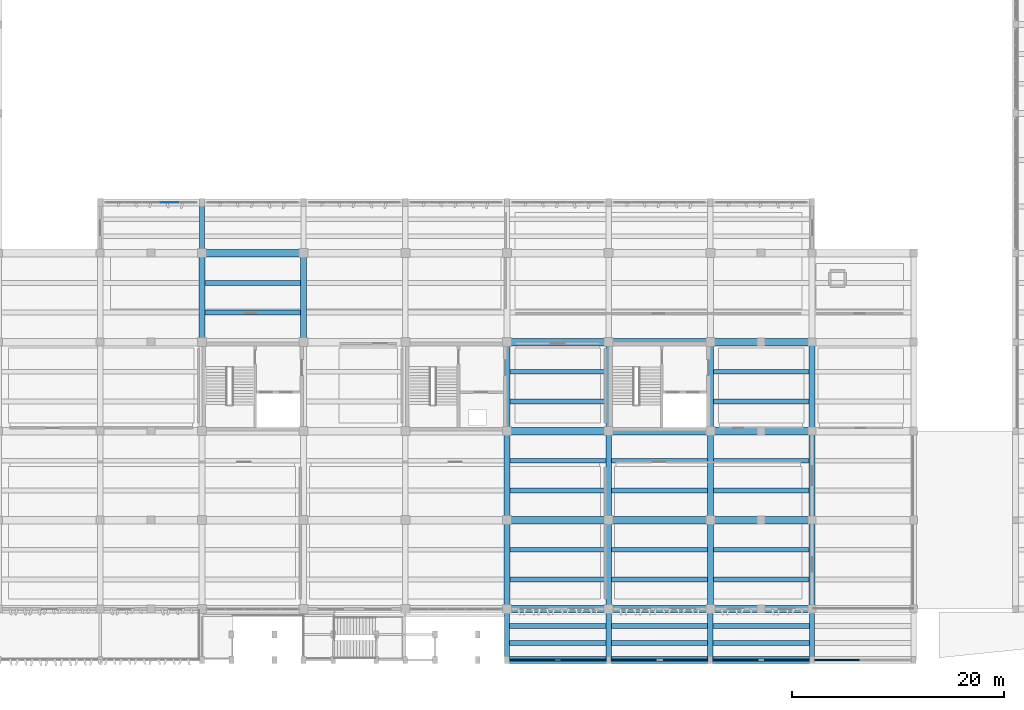
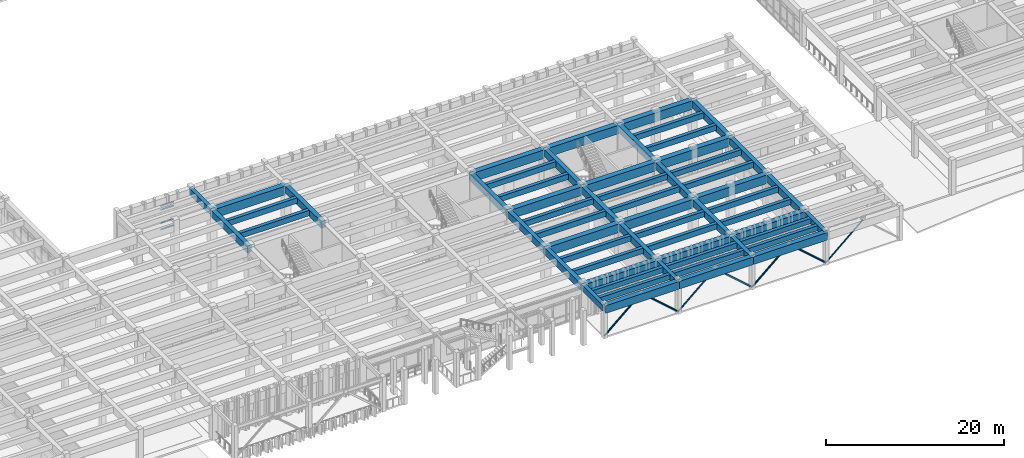
# One storey, part 13 of 86: 59 beams, 11 members, 1 element without a shape of its own.
"""IFC4 building model written with IfcOpenShell, lengths in metres."""

from ifc_helpers import new_model, si_unit, direction, frame, origin, origin_2d, place, context, subcontext, project, spatial, rectangle, hollow_rectangle, hollow_circle, extrude, material, layer, layer_set, material_profile, profile_set, type_object, element, aggregate, save


model = new_model("IFC4")

# Units and contexts
model_context = context("Model", 3, precision=1e-05, world=origin(), true_north=direction((0.0, 1.0)))
body_context = subcontext(model_context, "Body", "Model", "MODEL_VIEW")
ifc_project = project(units=[si_unit("LENGTHUNIT", "METRE"), si_unit("AREAUNIT", "SQUARE_METRE"), si_unit("VOLUMEUNIT", "CUBIC_METRE"), si_unit("PLANEANGLEUNIT", "RADIAN"), si_unit("MASSUNIT", "GRAM", prefix="KILO")], contexts=[model_context])

# Site, building, storey
site_placement = place(None, origin())
site = spatial("IfcSite", under=ifc_project, at=site_placement, CompositionType="ELEMENT")
building_placement = place(site_placement, origin())
building = spatial("IfcBuilding", under=site, at=building_placement, Name="Kolvemor Railside Polytechnic", CompositionType="ELEMENT")
storey_placement = place(building_placement, frame((0.0, 0.0, 5.39990234375)))
storey = spatial("IfcBuildingStorey", under=building, at=storey_placement, Name="L01", CompositionType="ELEMENT", Elevation=5.39990234375)

# Beams
ifc_material_1 = material(Name="Concrete C40/50", Category="concrete")
ifc_material_profile_1 = material_profile(ifc_material_1, rectangle(XDim=0.550048828125, YDim=0.949951171875, at=origin_2d()), Name="RC550x950")
ifc_profile_set_1 = profile_set([ifc_material_profile_1], Name="Concrete C40/50")
beam_type_1 = type_object("IfcBeamType", Name="BM-RC-GIRD", PredefinedType="BEAM", material=ifc_profile_set_1)
for number, where, z_axis, x_axis, name in (
    (1, (67.199951171875, 30.0, 4.005126953125), (0.0, 1.0, 0.0), (-1.0, 0.0, 0.0), "Primary Girder L02-GY 0800"),
    (2, (76.800048828125, 30.0, 4.005126953125), (0.0, 1.0, 0.0), (-1.0, 0.0, 0.0), "Primary Girder L02-GY 0804"),
    (3, (96.0, 4.800048828125, 4.005126953125), (0.0, 1.0, 0.0), (-1.0, 0.0, 0.0), "Primary Girder L02-GY 0809"),
):
    element("IfcBeam", number, at=place(storey_placement, frame(where, z_axis=z_axis, x_axis=x_axis)), inside=storey, type_object=beam_type_1, Name=name, PredefinedType="BEAM", context=body_context, shape_type="SweptSolid", body=[
        extrude(rectangle(XDim=0.550048828125, YDim=0.949951171875, at=origin_2d()), origin(), (0.0, 0.0, 1.0), 8.39990234375),
    ])
beam_1_placement = place(storey_placement, frame((96.0, 13.199951171875, 4.005126953125), z_axis=(0.0, 1.0, 0.0), x_axis=(-1.0, 0.0, 0.0)))
element("IfcBeam", 4, at=beam_1_placement, inside=storey, type_object=beam_type_1, Name="Primary Girder L02-GY 0810", PredefinedType="BEAM", context=body_context, shape_type="SweptSolid", body=[
    extrude(rectangle(XDim=0.550048828125, YDim=0.949951171875, at=origin_2d()), origin(), (0.0, 0.0, 1.0), 8.400146484375),
])
for number, where, z_axis, x_axis, name in (
    (5, (96.0, 21.60009765625, 4.005126953125), (0.0, 1.0, 0.0), (-1.0, 0.0, 0.0), "Primary Girder L02-GY 0811"),
    (6, (105.60009765625, 4.800048828125, 4.005126953125), (0.0, 1.0, 0.0), (-1.0, 0.0, 0.0), "Primary Girder L02-GY 0813"),
):
    element("IfcBeam", number, at=place(storey_placement, frame(where, z_axis=z_axis, x_axis=x_axis)), inside=storey, type_object=beam_type_1, Name=name, PredefinedType="BEAM", context=body_context, shape_type="SweptSolid", body=[
        extrude(rectangle(XDim=0.550048828125, YDim=0.949951171875, at=origin_2d()), origin(), (0.0, 0.0, 1.0), 8.39990234375),
    ])
beam_2_placement = place(storey_placement, frame((105.60009765625, 13.199951171875, 4.005126953125), z_axis=(0.0, 1.0, 0.0), x_axis=(-1.0, 0.0, 0.0)))
element("IfcBeam", 7, at=beam_2_placement, inside=storey, type_object=beam_type_1, Name="Primary Girder L02-GY 0814", PredefinedType="BEAM", context=body_context, shape_type="SweptSolid", body=[
    extrude(rectangle(XDim=0.550048828125, YDim=0.949951171875, at=origin_2d()), origin(), (0.0, 0.0, 1.0), 8.400146484375),
])
for number, where, z_axis, x_axis, name in (
    (8, (105.60009765625, 21.60009765625, 4.005126953125), (0.0, 1.0, 0.0), (-1.0, 0.0, 0.0), "Primary Girder L02-GY 0815"),
    (9, (115.199951171875, 4.800048828125, 4.005126953125), (0.0, 1.0, 0.0), (-1.0, 0.0, 0.0), "Primary Girder L02-GY 0817"),
):
    element("IfcBeam", number, at=place(storey_placement, frame(where, z_axis=z_axis, x_axis=x_axis)), inside=storey, type_object=beam_type_1, Name=name, PredefinedType="BEAM", context=body_context, shape_type="SweptSolid", body=[
        extrude(rectangle(XDim=0.550048828125, YDim=0.949951171875, at=origin_2d()), origin(), (0.0, 0.0, 1.0), 8.39990234375),
    ])
beam_3_placement = place(storey_placement, frame((115.199951171875, 13.199951171875, 4.005126953125), z_axis=(0.0, 1.0, 0.0), x_axis=(-1.0, 0.0, 0.0)))
element("IfcBeam", 10, at=beam_3_placement, inside=storey, type_object=beam_type_1, Name="Primary Girder L02-GY 0818", PredefinedType="BEAM", context=body_context, shape_type="SweptSolid", body=[
    extrude(rectangle(XDim=0.550048828125, YDim=0.949951171875, at=origin_2d()), origin(), (0.0, 0.0, 1.0), 8.400146484375),
])
for number, where, z_axis, x_axis, name in (
    (11, (115.199951171875, 21.60009765625, 4.005126953125), (0.0, 1.0, 0.0), (-1.0, 0.0, 0.0), "Primary Girder L02-GY 0819"),
    (12, (124.800048828125, 4.800048828125, 4.005126953125), (0.0, 1.0, 0.0), (-1.0, 0.0, 0.0), "Primary Girder L02-GY 0821"),
):
    element("IfcBeam", number, at=place(storey_placement, frame(where, z_axis=z_axis, x_axis=x_axis)), inside=storey, type_object=beam_type_1, Name=name, PredefinedType="BEAM", context=body_context, shape_type="SweptSolid", body=[
        extrude(rectangle(XDim=0.550048828125, YDim=0.949951171875, at=origin_2d()), origin(), (0.0, 0.0, 1.0), 8.39990234375),
    ])
beam_4_placement = place(storey_placement, frame((124.800048828125, 13.199951171875, 4.005126953125), z_axis=(0.0, 1.0, 0.0), x_axis=(-1.0, 0.0, 0.0)))
element("IfcBeam", 13, at=beam_4_placement, inside=storey, type_object=beam_type_1, Name="Primary Girder L02-GY 0822", PredefinedType="BEAM", context=body_context, shape_type="SweptSolid", body=[
    extrude(rectangle(XDim=0.550048828125, YDim=0.949951171875, at=origin_2d()), origin(), (0.0, 0.0, 1.0), 8.400146484375),
])
beam_5_placement = place(storey_placement, frame((124.800048828125, 21.60009765625, 4.005126953125), z_axis=(0.0, 1.0, 0.0), x_axis=(-1.0, 0.0, 0.0)))
element("IfcBeam", 14, at=beam_5_placement, inside=storey, type_object=beam_type_1, Name="Primary Girder L02-GY 0823", PredefinedType="BEAM", context=body_context, shape_type="SweptSolid", body=[
    extrude(rectangle(XDim=0.550048828125, YDim=0.949951171875, at=origin_2d()), origin(), (0.0, 0.0, 1.0), 8.39990234375),
])
ifc_material_2 = material(Name="Concrete C40/50", Category="concrete")
ifc_material_profile_2 = material_profile(ifc_material_2, rectangle(XDim=0.64990234375, YDim=1.050048828125, at=origin_2d()), Name="RC650x1050")
ifc_profile_set_2 = profile_set([ifc_material_profile_2], Name="Concrete C40/50")
beam_type_2 = type_object("IfcBeamType", Name="BM-RC-GIRD2", PredefinedType="BEAM", material=ifc_profile_set_2)
beam_6_placement = place(storey_placement, frame((96.0, 0.0, 3.955078125), z_axis=(1.0, 0.0, 0.0), x_axis=(0.0, 1.0, 0.0)))
element("IfcBeam", 15, at=beam_6_placement, inside=storey, type_object=beam_type_2, Name="Primary Girder L02-GX 1864", PredefinedType="BEAM", context=body_context, shape_type="SweptSolid", body=[
    extrude(rectangle(XDim=0.64990234375, YDim=1.050048828125, at=origin_2d()), origin(), (0.0, 0.0, 1.0), 9.60009765625),
])
beam_7_placement = place(storey_placement, frame((105.60009765625, 0.0, 3.955078125), z_axis=(1.0, 0.0, 0.0), x_axis=(0.0, 1.0, 0.0)))
element("IfcBeam", 16, at=beam_7_placement, inside=storey, type_object=beam_type_2, Name="Primary Girder L02-GX 1865", PredefinedType="BEAM", context=body_context, shape_type="SweptSolid", body=[
    extrude(rectangle(XDim=0.64990234375, YDim=1.050048828125, at=origin_2d()), origin(), (0.0, 0.0, 1.0), 9.599853515625),
])
beam_8_placement = place(storey_placement, frame((115.199951171875, 0.0, 3.955078125), z_axis=(1.0, 0.0, 0.0), x_axis=(0.0, 1.0, 0.0)))
element("IfcBeam", 17, at=beam_8_placement, inside=storey, type_object=beam_type_2, Name="Primary Girder L02-GX 1866", PredefinedType="BEAM", context=body_context, shape_type="SweptSolid", body=[
    extrude(rectangle(XDim=0.64990234375, YDim=1.050048828125, at=origin_2d()), origin(), (0.0, 0.0, 1.0), 9.60009765625),
])
ifc_material_3 = material(Name="Concrete C40/50", Category="concrete")
ifc_material_profile_3 = material_profile(ifc_material_3, rectangle(XDim=0.5, YDim=0.85009765625, at=origin_2d()), Name="RC500x850")
ifc_profile_set_3 = profile_set([ifc_material_profile_3], Name="Concrete C40/50")
beam_type_3 = type_object("IfcBeamType", Name="BM-RC-GIRD3", PredefinedType="BEAM", material=ifc_profile_set_3)
for number, where, z_axis, x_axis, name in (
    (18, (96.0, 0.0, 4.05517578125), (0.0, 1.0, 0.0), (-1.0, 0.0, 0.0), "Primary Girder L02-GY 1868"),
    (19, (105.60009765625, 0.0, 4.05517578125), (0.0, 1.0, 0.0), (-1.0, 0.0, 0.0), "Primary Girder L02-GY 1869"),
    (20, (115.199951171875, 0.0, 4.05517578125), (0.0, 1.0, 0.0), (-1.0, 0.0, 0.0), "Primary Girder L02-GY 1870"),
    (21, (124.800048828125, 0.0, 4.05517578125), (0.0, 1.0, 0.0), (-1.0, 0.0, 0.0), "Primary Girder L02-GY 1871"),
    (22, (67.199951171875, 38.39990234375, 4.05517578125), (0.0, 1.0, 0.0), (-1.0, 0.0, 0.0), "Primary Girder L02-GY 1889"),
):
    element("IfcBeam", number, at=place(storey_placement, frame(where, z_axis=z_axis, x_axis=x_axis)), inside=storey, type_object=beam_type_3, Name=name, PredefinedType="BEAM", context=body_context, shape_type="SweptSolid", body=[
        extrude(rectangle(XDim=0.5, YDim=0.85009765625, at=origin_2d()), origin(), (0.0, 0.0, 1.0), 4.800048828125),
    ])
ifc_material_4 = material(Name="Concrete C40/50", Category="concrete")
ifc_material_profile_4 = material_profile(ifc_material_4, rectangle(XDim=0.449951171875, YDim=0.75, at=origin_2d()), Name="RC450x750")
ifc_profile_set_4 = profile_set([ifc_material_profile_4], Name="Concrete C40/50")
beam_type_4 = type_object("IfcBeamType", Name="BM-RC-SEC", PredefinedType="JOIST", material=ifc_profile_set_4)
for number, where, z_axis, x_axis, name in (
    (23, (67.47509765625, 32.800048828125, 4.10498046875), (1.0, 0.0, 0.0), (0.0, 1.0, 0.0), "Floor Joist L02-J0849"),
    (24, (67.47509765625, 35.60009765625, 4.10498046875), (1.0, 0.0, 0.0), (0.0, 1.0, 0.0), "Floor Joist L02-J0850"),
):
    element("IfcBeam", number, at=place(storey_placement, frame(where, z_axis=z_axis, x_axis=x_axis)), inside=storey, type_object=beam_type_4, Name=name, PredefinedType="JOIST", context=body_context, shape_type="SweptSolid", body=[
        extrude(rectangle(XDim=0.449951171875, YDim=0.75, at=origin_2d()), origin(), (0.0, 0.0, 1.0), 9.0498046875),
    ])
for number, where, z_axis, x_axis, name in (
    (25, (96.27490234375, 7.60009765625, 4.10498046875), (1.0, 0.0, 0.0), (0.0, 1.0, 0.0), "Floor Joist L02-J0865"),
    (26, (96.27490234375, 10.39990234375, 4.10498046875), (1.0, 0.0, 0.0), (0.0, 1.0, 0.0), "Floor Joist L02-J0866"),
    (27, (96.27490234375, 16.0, 4.10498046875), (1.0, 0.0, 0.0), (0.0, 1.0, 0.0), "Floor Joist L02-J0867"),
    (28, (96.27490234375, 18.800048828125, 4.10498046875), (1.0, 0.0, 0.0), (0.0, 1.0, 0.0), "Floor Joist L02-J0868"),
    (29, (96.27490234375, 24.39990234375, 4.10498046875), (1.0, 0.0, 0.0), (0.0, 1.0, 0.0), "Floor Joist L02-J0869"),
    (30, (96.27490234375, 27.199951171875, 4.10498046875), (1.0, 0.0, 0.0), (0.0, 1.0, 0.0), "Floor Joist L02-J0870"),
    (31, (105.875, 7.60009765625, 4.10498046875), (1.0, 0.0, 0.0), (0.0, 1.0, 0.0), "Floor Joist L02-J0873"),
    (32, (105.875, 10.39990234375, 4.10498046875), (1.0, 0.0, 0.0), (0.0, 1.0, 0.0), "Floor Joist L02-J0874"),
    (33, (105.875, 16.0, 4.10498046875), (1.0, 0.0, 0.0), (0.0, 1.0, 0.0), "Floor Joist L02-J0875"),
    (34, (105.875, 18.800048828125, 4.10498046875), (1.0, 0.0, 0.0), (0.0, 1.0, 0.0), "Floor Joist L02-J0876"),
):
    element("IfcBeam", number, at=place(storey_placement, frame(where, z_axis=z_axis, x_axis=x_axis)), inside=storey, type_object=beam_type_4, Name=name, PredefinedType="JOIST", context=body_context, shape_type="SweptSolid", body=[
        extrude(rectangle(XDim=0.449951171875, YDim=0.75, at=origin_2d()), origin(), (0.0, 0.0, 1.0), 9.050048828125),
    ])
for number, where, z_axis, x_axis, name in (
    (35, (115.47509765625, 7.60009765625, 4.10498046875), (1.0, 0.0, 0.0), (0.0, 1.0, 0.0), "Floor Joist L02-J0879"),
    (36, (115.47509765625, 10.39990234375, 4.10498046875), (1.0, 0.0, 0.0), (0.0, 1.0, 0.0), "Floor Joist L02-J0880"),
    (37, (115.47509765625, 16.0, 4.10498046875), (1.0, 0.0, 0.0), (0.0, 1.0, 0.0), "Floor Joist L02-J0881"),
    (38, (115.47509765625, 18.800048828125, 4.10498046875), (1.0, 0.0, 0.0), (0.0, 1.0, 0.0), "Floor Joist L02-J0882"),
    (39, (115.47509765625, 24.39990234375, 4.10498046875), (1.0, 0.0, 0.0), (0.0, 1.0, 0.0), "Floor Joist L02-J0883"),
    (40, (115.47509765625, 27.199951171875, 4.10498046875), (1.0, 0.0, 0.0), (0.0, 1.0, 0.0), "Floor Joist L02-J0884"),
):
    element("IfcBeam", number, at=place(storey_placement, frame(where, z_axis=z_axis, x_axis=x_axis)), inside=storey, type_object=beam_type_4, Name=name, PredefinedType="JOIST", context=body_context, shape_type="SweptSolid", body=[
        extrude(rectangle(XDim=0.449951171875, YDim=0.75, at=origin_2d()), origin(), (0.0, 0.0, 1.0), 9.0498046875),
    ])
ifc_material_5 = material(Name="Concrete C40/50", Category="concrete")
ifc_material_profile_5 = material_profile(ifc_material_5, rectangle(XDim=0.449951171875, YDim=0.699951171875, at=origin_2d()), Name="RC450x700")
ifc_profile_set_5 = profile_set([ifc_material_profile_5], Name="Concrete C40/50")
beam_type_5 = type_object("IfcBeamType", Name="BM-RC-SEC2", PredefinedType="JOIST", material=ifc_profile_set_5)
for number, where, z_axis, x_axis, name in (
    (41, (96.25, 1.60009765625, 4.130126953125), (1.0, 0.0, 0.0), (0.0, 1.0, 0.0), "Floor Joist L02-J1873"),
    (42, (96.25, 3.199951171875, 4.130126953125), (1.0, 0.0, 0.0), (0.0, 1.0, 0.0), "Floor Joist L02-J1874"),
):
    element("IfcBeam", number, at=place(storey_placement, frame(where, z_axis=z_axis, x_axis=x_axis)), inside=storey, type_object=beam_type_5, Name=name, PredefinedType="JOIST", context=body_context, shape_type="SweptSolid", body=[
        extrude(rectangle(XDim=0.449951171875, YDim=0.699951171875, at=origin_2d()), origin(), (0.0, 0.0, 1.0), 9.10009765625),
    ])
for number, where, z_axis, x_axis, name in (
    (43, (105.85009765625, 1.60009765625, 4.130126953125), (1.0, 0.0, 0.0), (0.0, 1.0, 0.0), "Floor Joist L02-J1875"),
    (44, (105.85009765625, 3.199951171875, 4.130126953125), (1.0, 0.0, 0.0), (0.0, 1.0, 0.0), "Floor Joist L02-J1876"),
):
    element("IfcBeam", number, at=place(storey_placement, frame(where, z_axis=z_axis, x_axis=x_axis)), inside=storey, type_object=beam_type_5, Name=name, PredefinedType="JOIST", context=body_context, shape_type="SweptSolid", body=[
        extrude(rectangle(XDim=0.449951171875, YDim=0.699951171875, at=origin_2d()), origin(), (0.0, 0.0, 1.0), 9.099853515625),
    ])
for number, where, z_axis, x_axis, name in (
    (45, (115.449951171875, 1.60009765625, 4.130126953125), (1.0, 0.0, 0.0), (0.0, 1.0, 0.0), "Floor Joist L02-J1877"),
    (46, (115.449951171875, 3.199951171875, 4.130126953125), (1.0, 0.0, 0.0), (0.0, 1.0, 0.0), "Floor Joist L02-J1878"),
):
    element("IfcBeam", number, at=place(storey_placement, frame(where, z_axis=z_axis, x_axis=x_axis)), inside=storey, type_object=beam_type_5, Name=name, PredefinedType="JOIST", context=body_context, shape_type="SweptSolid", body=[
        extrude(rectangle(XDim=0.449951171875, YDim=0.699951171875, at=origin_2d()), origin(), (0.0, 0.0, 1.0), 9.10009765625),
    ])
ifc_material_6 = material(Name="Concrete C40/50", Category="concrete")
ifc_material_profile_6 = material_profile(ifc_material_6, rectangle(XDim=0.699951171875, YDim=1.199951171875, at=origin_2d()), Name="RC700x1200")
ifc_profile_set_6 = profile_set([ifc_material_profile_6], Name="Concrete C40/50")
beam_type_6 = type_object("IfcBeamType", Name="BM-RC-XFER", PredefinedType="BEAM", material=ifc_profile_set_6)
beam_9_placement = place(storey_placement, frame((96.0, 4.800048828125, 3.880126953125), z_axis=(1.0, 0.0, 0.0), x_axis=(0.0, 1.0, 0.0)))
element("IfcBeam", 47, at=beam_9_placement, inside=storey, type_object=beam_type_6, Name="Primary Girder L02-GX 0753", PredefinedType="BEAM", context=body_context, shape_type="SweptSolid", body=[
    extrude(rectangle(XDim=0.699951171875, YDim=1.199951171875, at=origin_2d()), origin(), (0.0, 0.0, 1.0), 9.60009765625),
])
beam_10_placement = place(storey_placement, frame((105.60009765625, 4.800048828125, 3.880126953125), z_axis=(1.0, 0.0, 0.0), x_axis=(0.0, 1.0, 0.0)))
element("IfcBeam", 48, at=beam_10_placement, inside=storey, type_object=beam_type_6, Name="Primary Girder L02-GX 0754", PredefinedType="BEAM", context=body_context, shape_type="SweptSolid", body=[
    extrude(rectangle(XDim=0.699951171875, YDim=1.199951171875, at=origin_2d()), origin(), (0.0, 0.0, 1.0), 9.599853515625),
])
for number, where, z_axis, x_axis, name in (
    (49, (115.199951171875, 4.800048828125, 3.880126953125), (1.0, 0.0, 0.0), (0.0, 1.0, 0.0), "Primary Girder L02-GX 0755"),
    (50, (96.0, 13.199951171875, 3.880126953125), (1.0, 0.0, 0.0), (0.0, 1.0, 0.0), "Primary Girder L02-GX 0762"),
):
    element("IfcBeam", number, at=place(storey_placement, frame(where, z_axis=z_axis, x_axis=x_axis)), inside=storey, type_object=beam_type_6, Name=name, PredefinedType="BEAM", context=body_context, shape_type="SweptSolid", body=[
        extrude(rectangle(XDim=0.699951171875, YDim=1.199951171875, at=origin_2d()), origin(), (0.0, 0.0, 1.0), 9.60009765625),
    ])
beam_11_placement = place(storey_placement, frame((105.60009765625, 13.199951171875, 3.880126953125), z_axis=(1.0, 0.0, 0.0), x_axis=(0.0, 1.0, 0.0)))
element("IfcBeam", 51, at=beam_11_placement, inside=storey, type_object=beam_type_6, Name="Primary Girder L02-GX 0763", PredefinedType="BEAM", context=body_context, shape_type="SweptSolid", body=[
    extrude(rectangle(XDim=0.699951171875, YDim=1.199951171875, at=origin_2d()), origin(), (0.0, 0.0, 1.0), 9.599853515625),
])
for number, where, z_axis, x_axis, name in (
    (52, (115.199951171875, 13.199951171875, 3.880126953125), (1.0, 0.0, 0.0), (0.0, 1.0, 0.0), "Primary Girder L02-GX 0764"),
    (53, (96.0, 21.60009765625, 3.880126953125), (1.0, 0.0, 0.0), (0.0, 1.0, 0.0), "Primary Girder L02-GX 0771"),
):
    element("IfcBeam", number, at=place(storey_placement, frame(where, z_axis=z_axis, x_axis=x_axis)), inside=storey, type_object=beam_type_6, Name=name, PredefinedType="BEAM", context=body_context, shape_type="SweptSolid", body=[
        extrude(rectangle(XDim=0.699951171875, YDim=1.199951171875, at=origin_2d()), origin(), (0.0, 0.0, 1.0), 9.60009765625),
    ])
beam_12_placement = place(storey_placement, frame((105.60009765625, 21.60009765625, 3.880126953125), z_axis=(1.0, 0.0, 0.0), x_axis=(0.0, 1.0, 0.0)))
element("IfcBeam", 54, at=beam_12_placement, inside=storey, type_object=beam_type_6, Name="Primary Girder L02-GX 0772", PredefinedType="BEAM", context=body_context, shape_type="SweptSolid", body=[
    extrude(rectangle(XDim=0.699951171875, YDim=1.199951171875, at=origin_2d()), origin(), (0.0, 0.0, 1.0), 9.599853515625),
])
for number, where, z_axis, x_axis, name in (
    (55, (115.199951171875, 21.60009765625, 3.880126953125), (1.0, 0.0, 0.0), (0.0, 1.0, 0.0), "Primary Girder L02-GX 0773"),
    (56, (96.0, 30.0, 3.880126953125), (1.0, 0.0, 0.0), (0.0, 1.0, 0.0), "Primary Girder L02-GX 0780"),
):
    element("IfcBeam", number, at=place(storey_placement, frame(where, z_axis=z_axis, x_axis=x_axis)), inside=storey, type_object=beam_type_6, Name=name, PredefinedType="BEAM", context=body_context, shape_type="SweptSolid", body=[
        extrude(rectangle(XDim=0.699951171875, YDim=1.199951171875, at=origin_2d()), origin(), (0.0, 0.0, 1.0), 9.60009765625),
    ])
beam_13_placement = place(storey_placement, frame((105.60009765625, 30.0, 3.880126953125), z_axis=(1.0, 0.0, 0.0), x_axis=(0.0, 1.0, 0.0)))
element("IfcBeam", 57, at=beam_13_placement, inside=storey, type_object=beam_type_6, Name="Primary Girder L02-GX 0781", PredefinedType="BEAM", context=body_context, shape_type="SweptSolid", body=[
    extrude(rectangle(XDim=0.699951171875, YDim=1.199951171875, at=origin_2d()), origin(), (0.0, 0.0, 1.0), 9.599853515625),
])
for number, where, z_axis, x_axis, name in (
    (58, (115.199951171875, 30.0, 3.880126953125), (1.0, 0.0, 0.0), (0.0, 1.0, 0.0), "Primary Girder L02-GX 0782"),
    (59, (67.199951171875, 38.39990234375, 3.880126953125), (1.0, 0.0, 0.0), (0.0, 1.0, 0.0), "Primary Girder L02-GX 0786"),
):
    element("IfcBeam", number, at=place(storey_placement, frame(where, z_axis=z_axis, x_axis=x_axis)), inside=storey, type_object=beam_type_6, Name=name, PredefinedType="BEAM", context=body_context, shape_type="SweptSolid", body=[
        extrude(rectangle(XDim=0.699951171875, YDim=1.199951171875, at=origin_2d()), origin(), (0.0, 0.0, 1.0), 9.60009765625),
    ])

# Curtain wall, members
ifc_material_7 = material(Name="Anodised marine aluminium and laminated low-E glass", Category="aluminium")
ifc_layer = layer(ifc_material_7, 0.179931640625, Name="CW-UNIT-STD")
ifc_layer_set = layer_set([ifc_layer], Name="Anodised marine aluminium and laminated low-E glass")
curtain_wall_type = type_object("IfcCurtainWallType", Name="CW-UNIT-STD", PredefinedType="USERDEFINED", material=ifc_layer_set)
curtain_wall_placement = place(storey_placement, origin())
curtain_wall = element("IfcCurtainWall", 60, at=curtain_wall_placement, inside=storey, type_object=curtain_wall_type, Name="Curtain Wall L01-113", ObjectType="UNITISED CURTAIN WALL", PredefinedType="USERDEFINED")
ifc_material_8 = material(Name="Anodised marine aluminium 6063-T6", Category="aluminium")
ifc_material_profile_7 = material_profile(ifc_material_8, rectangle(XDim=0.06494140625, YDim=0.1201171875, at=origin_2d()), Name="CW-TRN-65x120")
ifc_profile_set_7 = profile_set([ifc_material_profile_7], Name="Anodised marine aluminium 6063-T6")
member_type_1 = type_object("IfcMemberType", Name="CWT-65x120", PredefinedType="USERDEFINED", material=ifc_profile_set_7)
member_1_placement = place(storey_placement, frame((64.965576171875, 43.199951171875, 0.03271484375), z_axis=(-1.0, 0.0, 0.0), x_axis=(0.0, -1.0, 0.0)))
member_1 = element("IfcMember", 61, at=member_1_placement, type_object=member_type_1, Name="CW-STD transom 2.1", ObjectType="TRANSOM", PredefinedType="USERDEFINED", context=body_context, shape_type="SweptSolid", body=[
    extrude(rectangle(XDim=0.06494140625, YDim=0.1201171875, at=origin_2d()), origin(), (0.0, 0.0, 1.0), 1.6669921875),
])
member_2_placement = place(storey_placement, frame((64.965576171875, 43.199951171875, 0.900146484375), z_axis=(-1.0, 0.0, 0.0), x_axis=(0.0, -1.0, 0.0)))
member_2 = element("IfcMember", 62, at=member_2_placement, type_object=member_type_1, Name="CW-STD transom 2.2", ObjectType="TRANSOM", PredefinedType="USERDEFINED", context=body_context, shape_type="SweptSolid", body=[
    extrude(rectangle(XDim=0.06494140625, YDim=0.1201171875, at=origin_2d()), origin(), (0.0, 0.0, 1.0), 1.6669921875),
])
member_3_placement = place(storey_placement, frame((64.965576171875, 43.199951171875, 2.72998046875), z_axis=(-1.0, 0.0, 0.0), x_axis=(0.0, -1.0, 0.0)))
member_3 = element("IfcMember", 63, at=member_3_placement, type_object=member_type_1, Name="CW-STD transom 2.3", ObjectType="TRANSOM", PredefinedType="USERDEFINED", context=body_context, shape_type="SweptSolid", body=[
    extrude(rectangle(XDim=0.06494140625, YDim=0.1201171875, at=origin_2d()), origin(), (0.0, 0.0, 1.0), 1.6669921875),
])
member_4_placement = place(storey_placement, frame((64.965576171875, 43.199951171875, 3.24755859375), z_axis=(-1.0, 0.0, 0.0), x_axis=(0.0, -1.0, 0.0)))
member_4 = element("IfcMember", 64, at=member_4_placement, type_object=member_type_1, Name="CW-STD transom 2.4", ObjectType="TRANSOM", PredefinedType="USERDEFINED", context=body_context, shape_type="SweptSolid", body=[
    extrude(rectangle(XDim=0.06494140625, YDim=0.1201171875, at=origin_2d()), origin(), (0.0, 0.0, 1.0), 1.6669921875),
])
aggregate(curtain_wall, [member_1, member_2, member_3, member_4])

# Members
ifc_material_9 = material(Name="Steel S355", Category="steel")
ifc_material_profile_8 = material_profile(ifc_material_9, hollow_circle(Radius=0.109619140625, WallThickness=0.010009765625, at=origin_2d()), Name="CHS219.1x10")
ifc_profile_set_8 = profile_set([ifc_material_profile_8], Name="Steel S355")
member_type_2 = type_object("IfcMemberType", Name="MEM-BR-CHS1", PredefinedType="BRACE", material=ifc_profile_set_8)
for number, where, z_axis, x_axis, name in (
    (65, (96.0, 0.0, 0.150146484375), (0.752583808274, 0.0, 0.658496477989), (0.0, 1.0, 0.0), "Wind Chevron Brace BR-24A"),
    (66, (105.60009765625, 0.0, 0.150146484375), (-0.752583808274, 0.0, 0.658496477989), (0.0, -1.0, 0.0), "Wind Chevron Brace BR-24B"),
    (67, (115.199951171875, 0.0, 0.150146484375), (0.752583808274, 0.0, 0.658496477989), (0.0, 1.0, 0.0), "Wind Chevron Brace BR-25A"),
    (68, (124.800048828125, 0.0, 0.150146484375), (-0.752583808274, 0.0, 0.658496477989), (0.0, -1.0, 0.0), "Wind Chevron Brace BR-25B"),
):
    element("IfcMember", number, at=place(storey_placement, frame(where, z_axis=z_axis, x_axis=x_axis)), inside=storey, type_object=member_type_2, Name=name, PredefinedType="BRACE", context=body_context, shape_type="SweptSolid", body=[
        extrude(hollow_circle(Radius=0.109619140625, WallThickness=0.010009765625, at=origin_2d()), origin(), (0.0, 0.0, 1.0), 6.378173828125),
    ])
ifc_material_10 = material(Name="Steel S355", Category="steel")
ifc_material_profile_9 = material_profile(ifc_material_10, hollow_rectangle(XDim=0.10009765625, YDim=0.179931640625, WallThickness=0.008056640625, InnerFilletRadius=0.008056640625, OuterFilletRadius=0.01611328125, at=origin_2d()), Name="HSS180x100x8")
ifc_profile_set_9 = profile_set([ifc_material_profile_9], Name="Steel S355")
member_type_3 = type_object("IfcMemberType", Name="MEM-BR-HSS4", PredefinedType="BRACE", material=ifc_profile_set_9)
member_5_placement = place(storey_placement, frame((105.60009765625, 0.0, 0.150146484375), z_axis=(0.752567209541, 0.0, 0.658515447901), x_axis=(0.0, 1.0, 0.0)))
element("IfcMember", 69, at=member_5_placement, inside=storey, type_object=member_type_3, Name="Wind Chevron Brace BR-15A", PredefinedType="BRACE", context=body_context, shape_type="SweptSolid", body=[
    extrude(hollow_rectangle(XDim=0.10009765625, YDim=0.179931640625, WallThickness=0.008056640625, InnerFilletRadius=0.008056640625, OuterFilletRadius=0.01611328125, at=origin_2d()), origin(), (0.0, 0.0, 1.0), 6.3779296875),
])
member_6_placement = place(storey_placement, frame((115.199951171875, 0.0, 0.150146484375), z_axis=(-0.752583808274, 0.0, 0.658496477989), x_axis=(0.0, -1.0, 0.0)))
element("IfcMember", 70, at=member_6_placement, inside=storey, type_object=member_type_3, Name="Wind Chevron Brace BR-15B", PredefinedType="BRACE", context=body_context, shape_type="SweptSolid", body=[
    extrude(hollow_rectangle(XDim=0.10009765625, YDim=0.179931640625, WallThickness=0.008056640625, InnerFilletRadius=0.008056640625, OuterFilletRadius=0.01611328125, at=origin_2d()), origin(), (0.0, 0.0, 1.0), 6.378173828125),
])
ifc_material_11 = material(Name="Steel S355", Category="steel")
ifc_material_profile_10 = material_profile(ifc_material_11, hollow_rectangle(XDim=0.10009765625, YDim=0.14990234375, WallThickness=0.008056640625, InnerFilletRadius=0.008056640625, OuterFilletRadius=0.01611328125, at=origin_2d()), Name="HSS150x100x8")
ifc_profile_set_10 = profile_set([ifc_material_profile_10], Name="Steel S355")
member_type_4 = type_object("IfcMemberType", Name="MEM-BR-HSS5", PredefinedType="BRACE", material=ifc_profile_set_10)
member_7_placement = place(storey_placement, frame((124.800048828125, 0.0, 0.150146484375), z_axis=(0.752583808274, 0.0, 0.658496477989), x_axis=(0.0, 1.0, 0.0)))
element("IfcMember", 71, at=member_7_placement, inside=storey, type_object=member_type_4, Name="Wind Chevron Brace BR-16A", PredefinedType="BRACE", context=body_context, shape_type="SweptSolid", body=[
    extrude(hollow_rectangle(XDim=0.10009765625, YDim=0.14990234375, WallThickness=0.008056640625, InnerFilletRadius=0.008056640625, OuterFilletRadius=0.01611328125, at=origin_2d()), origin(), (0.0, 0.0, 1.0), 6.378173828125),
])

save(model, "model.ifc")
